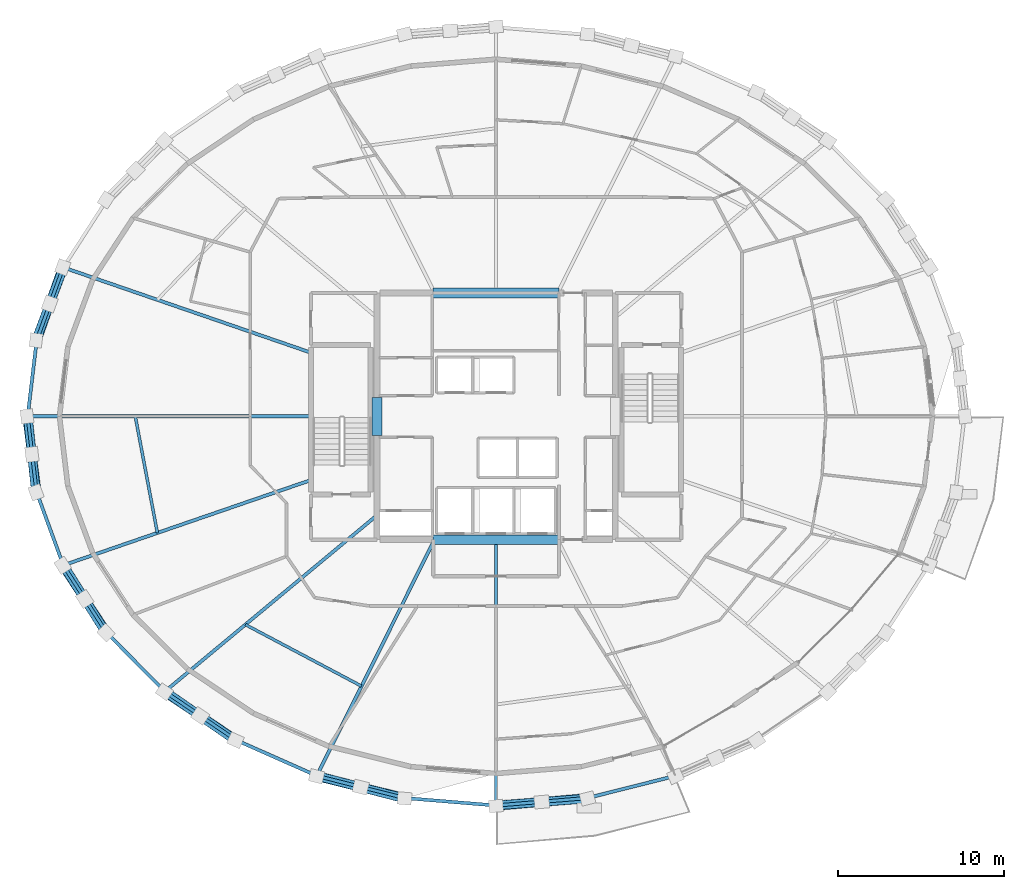
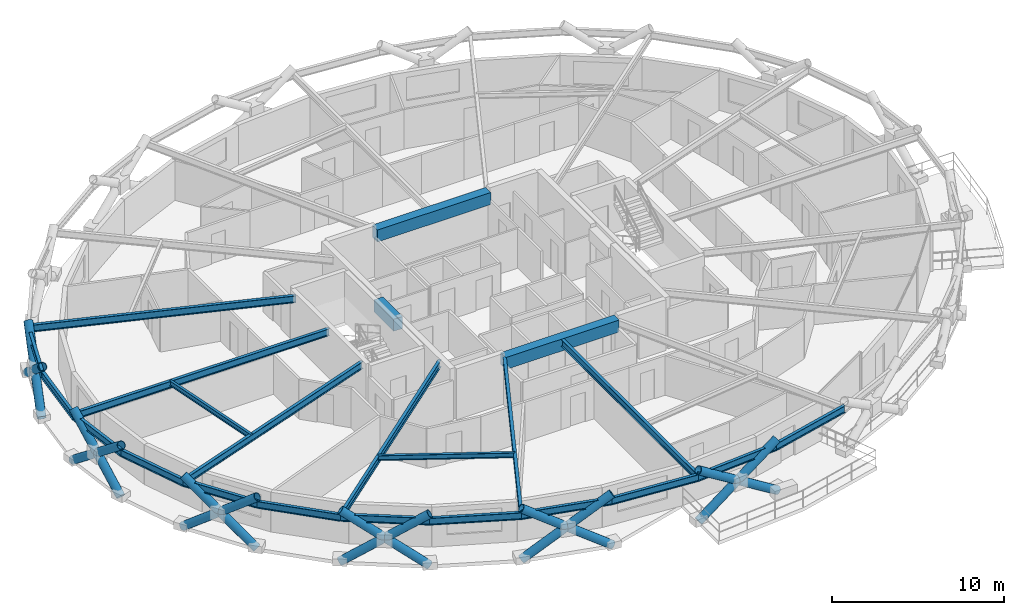
# One storey, part 1 of 14: 23 beams, 18 members.
"""IFC4 building model written with IfcOpenShell, lengths in metres."""

from ifc_helpers import new_model, si_unit, direction, frame, origin, origin_2d, place, context, subcontext, project, spatial, rectangle, hollow_circle, i_section, extrude, material, material_profile, profile_set, type_object, element, save


model = new_model("IFC4")

# Units and contexts
model_context = context("Model", 3, precision=1e-05, world=origin(), true_north=direction((0.0, 1.0)))
body_context = subcontext(model_context, "Body", "Model", "MODEL_VIEW")
ifc_project = project(units=[si_unit("LENGTHUNIT", "METRE"), si_unit("AREAUNIT", "SQUARE_METRE"), si_unit("VOLUMEUNIT", "CUBIC_METRE"), si_unit("PLANEANGLEUNIT", "RADIAN"), si_unit("MASSUNIT", "GRAM", prefix="KILO")], contexts=[model_context])

# Site, building, storey
site_placement = place(None, origin())
site = spatial("IfcSite", under=ifc_project, at=site_placement, CompositionType="ELEMENT")
building_placement = place(site_placement, origin())
building = spatial("IfcBuilding", under=site, at=building_placement, Name="Veldorina Hangang Commons", CompositionType="ELEMENT")
storey_placement = place(building_placement, frame((0.0, 0.0, 149.60009765625)))
storey = spatial("IfcBuildingStorey", under=building, at=storey_placement, Name="L38", CompositionType="ELEMENT", Elevation=149.60009765625)

# Beams
ifc_material_1 = material(Name="Concrete C60/75", Category="concrete")
ifc_material_profile_1 = material_profile(ifc_material_1, rectangle(XDim=0.60009765625, YDim=0.85009765625, at=origin_2d()), Name="RC-CB-600x850")
ifc_profile_set_1 = profile_set([ifc_material_profile_1], Name="Concrete C60/75")
beam_type_1 = type_object("IfcBeamType", Name="BM-CB850", PredefinedType="LINTEL", material=ifc_profile_set_1)
beam_1_placement = place(storey_placement, frame((24.800048828125, 22.85009765625, 2.9248046875), z_axis=(0.0, 1.0, 0.0), x_axis=(-1.0, 0.0, 0.0)))
element("IfcBeam", 1, at=beam_1_placement, inside=storey, type_object=beam_type_1, Name="L38 W core coupling lintel beam", PredefinedType="LINTEL", context=body_context, shape_type="SweptSolid", body=[
    extrude(rectangle(XDim=0.60009765625, YDim=0.85009765625, at=origin_2d()), origin(), (0.0, 0.0, 1.0), 2.2998046875),
])
for number, where, z_axis, x_axis, name in (
    (2, (28.199951171875, 16.550048828125, 2.9248046875), (1.0, 0.0, 0.0), (0.0, 1.0, 0.0), "L38 south core coupling beam"),
    (3, (28.199951171875, 31.449951171875, 2.9248046875), (1.0, 0.0, 0.0), (0.0, 1.0, 0.0), "L38 north core coupling beam"),
):
    element("IfcBeam", number, at=place(storey_placement, frame(where, z_axis=z_axis, x_axis=x_axis)), inside=storey, type_object=beam_type_1, Name=name, PredefinedType="LINTEL", context=body_context, shape_type="SweptSolid", body=[
        extrude(rectangle(XDim=0.60009765625, YDim=0.85009765625, at=origin_2d()), origin(), (0.0, 0.0, 1.0), 7.60009765625),
    ])
ifc_material_2 = material(Name="Steel SM420-TMC", Category="steel")
ifc_material_profile_2 = material_profile(ifc_material_2, i_section(OverallWidth=0.199951171875, OverallDepth=0.5, WebThickness=0.010009765625, FlangeThickness=0.01611328125, FilletRadius=0.01611328125, at=origin_2d()), Name="H-500x200x10x16")
ifc_profile_set_2 = profile_set([ifc_material_profile_2], Name="Steel SM420-TMC")
beam_type_2 = type_object("IfcBeamType", Name="BM-FG500", PredefinedType="BEAM", material=ifc_profile_set_2)
beam_2_placement = place(storey_placement, frame((20.820068359375, 27.847412109375, 3.099853515625), z_axis=(-0.945577538104, 0.325396864511, 0.0), x_axis=(-0.325396864511, -0.945577538104, 0.0)))
element("IfcBeam", 4, at=beam_2_placement, inside=storey, type_object=beam_type_2, Name="L38 radial floor girder 08", PredefinedType="BEAM", context=body_context, shape_type="SweptSolid", body=[
    extrude(i_section(OverallWidth=0.199951171875, OverallDepth=0.5, WebThickness=0.010009765625, FlangeThickness=0.01611328125, FilletRadius=0.01611328125, at=origin_2d()), origin(), (0.0, 0.0, 1.0), 15.814453125),
])
beam_3_placement = place(storey_placement, frame((20.820068359375, 24.0, 3.099853515625), z_axis=(-1.0, 0.0, 0.0), x_axis=(0.0, -1.0, 0.0)))
element("IfcBeam", 5, at=beam_3_placement, inside=storey, type_object=beam_type_2, Name="L38 radial floor girder 09", PredefinedType="BEAM", context=body_context, shape_type="SweptSolid", body=[
    extrude(i_section(OverallWidth=0.199951171875, OverallDepth=0.5, WebThickness=0.010009765625, FlangeThickness=0.01611328125, FilletRadius=0.01611328125, at=origin_2d()), origin(), (0.0, 0.0, 1.0), 17.10693359375),
])
beam_4_placement = place(storey_placement, frame((20.820068359375, 20.152587890625, 3.099853515625), z_axis=(-0.945577538104, -0.325396864511, 0.0), x_axis=(0.325396864511, -0.945577538104, 0.0)))
element("IfcBeam", 6, at=beam_4_placement, inside=storey, type_object=beam_type_2, Name="L38 radial floor girder 10", PredefinedType="BEAM", context=body_context, shape_type="SweptSolid", body=[
    extrude(i_section(OverallWidth=0.199951171875, OverallDepth=0.5, WebThickness=0.010009765625, FlangeThickness=0.01611328125, FilletRadius=0.01611328125, at=origin_2d()), origin(), (0.0, 0.0, 1.0), 15.814453125),
])
beam_5_placement = place(storey_placement, frame((24.800048828125, 18.018310546875, 3.099853515625), z_axis=(-0.769170295329, -0.639043861393, 0.0), x_axis=(0.639043861393, -0.769170295329, 0.0)))
element("IfcBeam", 7, at=beam_5_placement, inside=storey, type_object=beam_type_2, Name="L38 radial floor girder 11", PredefinedType="BEAM", context=body_context, shape_type="SweptSolid", body=[
    extrude(i_section(OverallWidth=0.199951171875, OverallDepth=0.5, WebThickness=0.010009765625, FlangeThickness=0.01611328125, FilletRadius=0.01611328125, at=origin_2d()), origin(), (0.0, 0.0, 1.0), 16.6435546875),
])
beam_6_placement = place(storey_placement, frame((28.28564453125, 16.550048828125, 3.099853515625), z_axis=(-0.446189938387, -0.894938287751, 0.0), x_axis=(0.894938287751, -0.446189938387, 0.0)))
element("IfcBeam", 8, at=beam_6_placement, inside=storey, type_object=beam_type_2, Name="L38 radial floor girder 12", PredefinedType="BEAM", context=body_context, shape_type="SweptSolid", body=[
    extrude(i_section(OverallWidth=0.199951171875, OverallDepth=0.5, WebThickness=0.010009765625, FlangeThickness=0.01611328125, FilletRadius=0.01611328125, at=origin_2d()), origin(), (0.0, 0.0, 1.0), 15.936279296875),
])
beam_7_placement = place(storey_placement, frame((32.0, 16.550048828125, 3.099853515625), z_axis=(0.0, -1.0, 0.0), x_axis=(1.0, 0.0, 0.0)))
element("IfcBeam", 9, at=beam_7_placement, inside=storey, type_object=beam_type_2, Name="L38 radial floor girder 13", PredefinedType="BEAM", context=body_context, shape_type="SweptSolid", body=[
    extrude(i_section(OverallWidth=0.199951171875, OverallDepth=0.5, WebThickness=0.010009765625, FlangeThickness=0.01611328125, FilletRadius=0.01611328125, at=origin_2d()), origin(), (0.0, 0.0, 1.0), 16.05078125),
])
ifc_material_3 = material(Name="Steel SM355-TMC", Category="steel")
ifc_material_profile_3 = material_profile(ifc_material_3, i_section(OverallWidth=0.175048828125, OverallDepth=0.35009765625, WebThickness=0.007080078125, FlangeThickness=0.010986328125, FilletRadius=0.012939453125, at=origin_2d()), Name="H-350x175x7x11")
ifc_profile_set_3 = profile_set([ifc_material_profile_3], Name="Steel SM355-TMC")
beam_type_3 = type_object("IfcBeamType", Name="BM-JST350", PredefinedType="JOIST", material=ifc_profile_set_3)
beam_8_placement = place(storey_placement, frame((10.213623046875, 24.0, 3.1748046875), z_axis=(0.186360310347, -0.98248146788, 0.0), x_axis=(0.98248146788, 0.186360310347, 0.0)))
element("IfcBeam", 10, at=beam_8_placement, inside=storey, type_object=beam_type_3, Name="L38 secondary floor joist 09", PredefinedType="JOIST", context=body_context, shape_type="SweptSolid", body=[
    extrude(i_section(OverallWidth=0.175048828125, OverallDepth=0.35009765625, WebThickness=0.007080078125, FlangeThickness=0.010986328125, FilletRadius=0.012939453125, at=origin_2d()), origin(), (0.0, 0.0, 1.0), 7.163330078125),
])
beam_9_placement = place(storey_placement, frame((16.86279296875, 11.424072265625, 3.1748046875), z_axis=(0.883629268199, -0.46818726636, 0.0), x_axis=(0.46818726636, 0.883629268199, 0.0)))
element("IfcBeam", 11, at=beam_9_placement, inside=storey, type_object=beam_type_3, Name="L38 secondary floor joist 11", PredefinedType="JOIST", context=body_context, shape_type="SweptSolid", body=[
    extrude(i_section(OverallWidth=0.175048828125, OverallDepth=0.35009765625, WebThickness=0.007080078125, FlangeThickness=0.010986328125, FilletRadius=0.012939453125, at=origin_2d()), origin(), (0.0, 0.0, 1.0), 7.938232421875),
])
ifc_material_profile_4 = material_profile(ifc_material_2, i_section(OverallWidth=0.199951171875, OverallDepth=0.5, WebThickness=0.010009765625, FlangeThickness=0.01611328125, FilletRadius=0.01611328125, at=origin_2d()), Name="H-500x200x10x16")
ifc_profile_set_4 = profile_set([ifc_material_profile_4], Name="Steel SM420-TMC")
beam_type_4 = type_object("IfcBeamType", Name="BM-RB500", PredefinedType="BEAM", material=ifc_profile_set_4)
beam_10_placement = place(storey_placement, frame((5.8662109375, 32.993408203125, 3.099853515625), z_axis=(-0.34295818842, -0.939350669876, 0.0), x_axis=(0.939350669876, -0.34295818842, 0.0)))
element("IfcBeam", 12, at=beam_10_placement, inside=storey, type_object=beam_type_4, Name="L38 perimeter hoop ring beam 14", PredefinedType="BEAM", context=body_context, shape_type="SweptSolid", body=[
    extrude(i_section(OverallWidth=0.199951171875, OverallDepth=0.5, WebThickness=0.010009765625, FlangeThickness=0.01611328125, FilletRadius=0.01611328125, at=origin_2d()), origin(), (0.0, 0.0, 1.0), 4.693359375),
])
for number, where, z_axis, x_axis, name in (
    (13, (4.256591796875, 28.584716796875, 3.099853515625), (-0.117712561941, -0.993047709207, 0.0), (0.993047709207, -0.117712561941, 0.0), "L38 perimeter hoop ring beam 15"),
    (14, (3.713134765625, 24.0, 3.099853515625), (0.117712561941, -0.993047709207, 0.0), (0.993047709207, 0.117712561941, 0.0), "L38 perimeter hoop ring beam 16"),
):
    element("IfcBeam", number, at=place(storey_placement, frame(where, z_axis=z_axis, x_axis=x_axis)), inside=storey, type_object=beam_type_4, Name=name, PredefinedType="BEAM", context=body_context, shape_type="SweptSolid", body=[
        extrude(i_section(OverallWidth=0.199951171875, OverallDepth=0.5, WebThickness=0.010009765625, FlangeThickness=0.01611328125, FilletRadius=0.01611328125, at=origin_2d()), origin(), (0.0, 0.0, 1.0), 4.61669921875),
    ])
beam_11_placement = place(storey_placement, frame((4.256591796875, 19.415283203125, 3.099853515625), z_axis=(0.34295818842, -0.939350669876, 0.0), x_axis=(0.939350669876, 0.34295818842, 0.0)))
element("IfcBeam", 15, at=beam_11_placement, inside=storey, type_object=beam_type_4, Name="L38 perimeter hoop ring beam 17", PredefinedType="BEAM", context=body_context, shape_type="SweptSolid", body=[
    extrude(i_section(OverallWidth=0.199951171875, OverallDepth=0.5, WebThickness=0.010009765625, FlangeThickness=0.01611328125, FilletRadius=0.01611328125, at=origin_2d()), origin(), (0.0, 0.0, 1.0), 4.693359375),
])
beam_12_placement = place(storey_placement, frame((5.8662109375, 15.006591796875, 3.099853515625), z_axis=(0.541064041237, -0.840981392945, 0.0), x_axis=(0.840981392945, 0.541064041237, 0.0)))
element("IfcBeam", 16, at=beam_12_placement, inside=storey, type_object=beam_type_4, Name="L38 perimeter hoop ring beam 18", PredefinedType="BEAM", context=body_context, shape_type="SweptSolid", body=[
    extrude(i_section(OverallWidth=0.199951171875, OverallDepth=0.5, WebThickness=0.010009765625, FlangeThickness=0.01611328125, FilletRadius=0.01611328125, at=origin_2d()), origin(), (0.0, 0.0, 1.0), 4.831298828125),
])
beam_13_placement = place(storey_placement, frame((8.480224609375, 10.943603515625, 3.099853515625), z_axis=(0.702777452467, -0.711409763993, 0.0), x_axis=(0.711409763993, 0.702777452467, 0.0)))
element("IfcBeam", 17, at=beam_13_placement, inside=storey, type_object=beam_type_4, Name="L38 perimeter hoop ring beam 19", PredefinedType="BEAM", context=body_context, shape_type="SweptSolid", body=[
    extrude(i_section(OverallWidth=0.199951171875, OverallDepth=0.5, WebThickness=0.010009765625, FlangeThickness=0.01611328125, FilletRadius=0.01611328125, at=origin_2d()), origin(), (0.0, 0.0, 1.0), 5.005859375),
])
beam_14_placement = place(storey_placement, frame((11.998291015625, 7.38232421875, 3.099853515625), z_axis=(0.826220373452, -0.563347046227, 0.0), x_axis=(0.563347046227, 0.826220373452, 0.0)))
element("IfcBeam", 18, at=beam_14_placement, inside=storey, type_object=beam_type_4, Name="L38 perimeter hoop ring beam 20", PredefinedType="BEAM", context=body_context, shape_type="SweptSolid", body=[
    extrude(i_section(OverallWidth=0.199951171875, OverallDepth=0.5, WebThickness=0.010009765625, FlangeThickness=0.01611328125, FilletRadius=0.01611328125, at=origin_2d()), origin(), (0.0, 0.0, 1.0), 5.18798828125),
])
beam_15_placement = place(storey_placement, frame((16.28466796875, 4.459716796875, 3.099853515625), z_axis=(0.91394132535, -0.405846342619, 0.0), x_axis=(0.405846342619, 0.91394132535, 0.0)))
element("IfcBeam", 19, at=beam_15_placement, inside=storey, type_object=beam_type_4, Name="L38 perimeter hoop ring beam 21", PredefinedType="BEAM", context=body_context, shape_type="SweptSolid", body=[
    extrude(i_section(OverallWidth=0.199951171875, OverallDepth=0.5, WebThickness=0.010009765625, FlangeThickness=0.01611328125, FilletRadius=0.01611328125, at=origin_2d()), origin(), (0.0, 0.0, 1.0), 5.350830078125),
])
beam_16_placement = place(storey_placement, frame((21.175048828125, 2.2880859375, 3.099853515625), z_axis=(0.969676214769, -0.244393204716, 0.0), x_axis=(0.244393204716, 0.969676214769, 0.0)))
element("IfcBeam", 20, at=beam_16_placement, inside=storey, type_object=beam_type_4, Name="L38 perimeter hoop ring beam 22", PredefinedType="BEAM", context=body_context, shape_type="SweptSolid", body=[
    extrude(i_section(OverallWidth=0.199951171875, OverallDepth=0.5, WebThickness=0.010009765625, FlangeThickness=0.01611328125, FilletRadius=0.01611328125, at=origin_2d()), origin(), (0.0, 0.0, 1.0), 5.472412109375),
])
for number, where, z_axis, x_axis, name in (
    (21, (26.4814453125, 0.95068359375, 3.099853515625), (0.996671102481, -0.081527378716, 0.0), (0.081527378716, 0.996671102481, 0.0), "L38 perimeter hoop ring beam 23"),
    (22, (32.0, 0.499267578125, 3.099853515625), (0.996671102481, 0.081527378716, 0.0), (-0.081527378716, 0.996671102481, 0.0), "L38 perimeter hoop ring beam 24"),
):
    element("IfcBeam", number, at=place(storey_placement, frame(where, z_axis=z_axis, x_axis=x_axis)), inside=storey, type_object=beam_type_4, Name=name, PredefinedType="BEAM", context=body_context, shape_type="SweptSolid", body=[
        extrude(i_section(OverallWidth=0.199951171875, OverallDepth=0.5, WebThickness=0.010009765625, FlangeThickness=0.01611328125, FilletRadius=0.01611328125, at=origin_2d()), origin(), (0.0, 0.0, 1.0), 5.536865234375),
    ])
beam_17_placement = place(storey_placement, frame((37.5185546875, 0.95068359375, 3.099853515625), z_axis=(0.969676214769, 0.244393204716, 0.0), x_axis=(-0.244393204716, 0.969676214769, 0.0)))
element("IfcBeam", 23, at=beam_17_placement, inside=storey, type_object=beam_type_4, Name="L38 perimeter hoop ring beam 25", PredefinedType="BEAM", context=body_context, shape_type="SweptSolid", body=[
    extrude(i_section(OverallWidth=0.199951171875, OverallDepth=0.5, WebThickness=0.010009765625, FlangeThickness=0.01611328125, FilletRadius=0.01611328125, at=origin_2d()), origin(), (0.0, 0.0, 1.0), 5.472412109375),
])

# Members
ifc_material_profile_5 = material_profile(ifc_material_2, hollow_circle(Radius=0.27490234375, WallThickness=0.028076171875, at=origin_2d()), Name="CHS-550x28")
ifc_profile_set_5 = profile_set([ifc_material_profile_5], Name="Steel SM420-TMC")
member_type = type_object("IfcMemberType", Name="DG-CHS550", PredefinedType="BRACE", material=ifc_profile_set_5)
member_1_placement = place(storey_placement, frame((5.830322265625, 33.00390625, 0.0), z_axis=(-0.26515879031, -0.747614816972, 0.608903031167), x_axis=(0.942476955609, -0.334271129693, 0.0)))
element("IfcMember", 24, at=member_1_placement, inside=storey, type_object=member_type, Name="L38 continuous perimeter diagrid brace 14", PredefinedType="BRACE", context=body_context, shape_type="SweptSolid", body=[
    extrude(hollow_circle(Radius=0.27490234375, WallThickness=0.028076171875, at=origin_2d()), origin(), (0.0, 0.0, 1.0), 5.912109375),
])
member_2_placement = place(storey_placement, frame((4.218505859375, 28.590087890625, 0.0), z_axis=(0.279343569548, 0.743268140803, 0.60788127214), x_axis=(-0.936073039198, 0.35180572094, 0.0)))
element("IfcMember", 25, at=member_2_placement, inside=storey, type_object=member_type, Name="L38 split perimeter diagrid lower brace 15", PredefinedType="BRACE", context=body_context, shape_type="SweptSolid", body=[
    extrude(hollow_circle(Radius=0.27490234375, WallThickness=0.028076171875, at=origin_2d()), origin(), (0.0, 0.0, 1.0), 2.962890625),
])
member_3_placement = place(storey_placement, frame((5.046142578125, 30.792236328125, 1.801025390625), z_axis=(0.27912560826, 0.743317352886, 0.607921218344), x_axis=(-0.936171074881, 0.351544760387, 0.0)))
element("IfcMember", 26, at=member_3_placement, inside=storey, type_object=member_type, Name="L38 split perimeter diagrid upper brace 15", PredefinedType="BRACE", context=body_context, shape_type="SweptSolid", body=[
    extrude(hollow_circle(Radius=0.27490234375, WallThickness=0.028076171875, at=origin_2d()), origin(), (0.0, 0.0, 1.0), 2.958984375),
])
member_4_placement = place(storey_placement, frame((3.67431640625, 24.0, 0.0), z_axis=(0.10043747987, -0.782495486324, 0.614502340533), x_axis=(0.99186286061, 0.1273109019, 0.0)))
element("IfcMember", 27, at=member_4_placement, inside=storey, type_object=member_type, Name="L38 continuous perimeter diagrid brace 16", PredefinedType="BRACE", context=body_context, shape_type="SweptSolid", body=[
    extrude(hollow_circle(Radius=0.27490234375, WallThickness=0.028076171875, at=origin_2d()), origin(), (0.0, 0.0, 1.0), 5.858154296875),
])
member_5_placement = place(storey_placement, frame((4.218505859375, 19.409912109375, 0.0), z_axis=(-0.085262344098, 0.784030176863, 0.614839015065), x_axis=(-0.994138785245, -0.108111403987, 0.0)))
element("IfcMember", 28, at=member_5_placement, inside=storey, type_object=member_type, Name="L38 split perimeter diagrid lower brace 17", PredefinedType="BRACE", context=body_context, shape_type="SweptSolid", body=[
    extrude(hollow_circle(Radius=0.27490234375, WallThickness=0.028076171875, at=origin_2d()), origin(), (0.0, 0.0, 1.0), 2.92919921875),
])
member_6_placement = place(storey_placement, frame((3.96875, 21.70654296875, 1.801025390625), z_axis=(-0.085208545501, 0.783985383383, 0.614903587903), x_axis=(-0.99414545161, -0.108050085809, 0.0)))
element("IfcMember", 29, at=member_6_placement, inside=storey, type_object=member_type, Name="L38 split perimeter diagrid upper brace 17", PredefinedType="BRACE", context=body_context, shape_type="SweptSolid", body=[
    extrude(hollow_circle(Radius=0.27490234375, WallThickness=0.028076171875, at=origin_2d()), origin(), (0.0, 0.0, 1.0), 2.92529296875),
])
member_7_placement = place(storey_placement, frame((5.830322265625, 14.99609375, 0.0), z_axis=(0.440032838806, -0.671175502294, 0.596568978319), x_axis=(0.83629135652, 0.548285297095, 0.0)))
element("IfcMember", 30, at=member_7_placement, inside=storey, type_object=member_type, Name="L38 continuous perimeter diagrid brace 18", PredefinedType="BRACE", context=body_context, shape_type="SweptSolid", body=[
    extrude(hollow_circle(Radius=0.27490234375, WallThickness=0.028076171875, at=origin_2d()), origin(), (0.0, 0.0, 1.0), 6.0341796875),
])
member_8_placement = place(storey_placement, frame((8.447998046875, 10.928466796875, 0.0), z_axis=(-0.427955514779, 0.677677283913, 0.598002990158), x_axis=(-0.845517737838, -0.533947333547, 0.0)))
element("IfcMember", 31, at=member_8_placement, inside=storey, type_object=member_type, Name="L38 split perimeter diagrid lower brace 19", PredefinedType="BRACE", context=body_context, shape_type="SweptSolid", body=[
    extrude(hollow_circle(Radius=0.27490234375, WallThickness=0.028076171875, at=origin_2d()), origin(), (0.0, 0.0, 1.0), 3.01220703125),
])
member_9_placement = place(storey_placement, frame((7.158935546875, 12.9697265625, 1.80126953125), z_axis=(-0.427846222587, 0.677768157579, 0.597978205615), x_axis=(-0.84561160894, -0.533798657572, 0.0)))
element("IfcMember", 32, at=member_9_placement, inside=storey, type_object=member_type, Name="L38 split perimeter diagrid upper brace 19", PredefinedType="BRACE", context=body_context, shape_type="SweptSolid", body=[
    extrude(hollow_circle(Radius=0.27490234375, WallThickness=0.028076171875, at=origin_2d()), origin(), (0.0, 0.0, 1.0), 3.0078125),
])
member_10_placement = place(storey_placement, frame((11.970703125, 7.36328125, 0.0), z_axis=(0.682568429135, -0.458467982428, 0.569128674938), x_axis=(0.557578393246, 0.830124289119, 0.0)))
element("IfcMember", 33, at=member_10_placement, inside=storey, type_object=member_type, Name="L38 continuous perimeter diagrid brace 20", PredefinedType="BRACE", context=body_context, shape_type="SweptSolid", body=[
    extrude(hollow_circle(Radius=0.27490234375, WallThickness=0.028076171875, at=origin_2d()), origin(), (0.0, 0.0, 1.0), 6.3251953125),
])
member_11_placement = place(storey_placement, frame((16.262939453125, 4.437255859375, 0.0), z_axis=(-0.675345883336, 0.467219936009, 0.570625507015), x_axis=(-0.568940593857, -0.822378623665, 0.0)))
element("IfcMember", 34, at=member_11_placement, inside=storey, type_object=member_type, Name="L38 split perimeter diagrid lower brace 21", PredefinedType="BRACE", context=body_context, shape_type="SweptSolid", body=[
    extrude(hollow_circle(Radius=0.27490234375, WallThickness=0.028076171875, at=origin_2d()), origin(), (0.0, 0.0, 1.0), 3.15673828125),
])
member_12_placement = place(storey_placement, frame((14.131103515625, 5.912109375, 1.80126953125), z_axis=(-0.675231045843, 0.46742594192, 0.570592694967), x_axis=(-0.569175648602, -0.822215957665, 0.0)))
element("IfcMember", 35, at=member_12_placement, inside=storey, type_object=member_type, Name="L38 split perimeter diagrid upper brace 21", PredefinedType="BRACE", context=body_context, shape_type="SweptSolid", body=[
    extrude(hollow_circle(Radius=0.27490234375, WallThickness=0.028076171875, at=origin_2d()), origin(), (0.0, 0.0, 1.0), 3.152099609375),
])
member_13_placement = place(storey_placement, frame((21.16015625, 2.262939453125, 0.0), z_axis=(0.811688751292, -0.199450329832, 0.548981727343), x_axis=(0.238624231571, 0.97111197918, 0.0)))
element("IfcMember", 36, at=member_13_placement, inside=storey, type_object=member_type, Name="L38 continuous perimeter diagrid brace 22", PredefinedType="BRACE", context=body_context, shape_type="SweptSolid", body=[
    extrude(hollow_circle(Radius=0.27490234375, WallThickness=0.028076171875, at=origin_2d()), origin(), (0.0, 0.0, 1.0), 6.557373046875),
])
member_14_placement = place(storey_placement, frame((26.473876953125, 0.924072265625, 0.0), z_axis=(-0.808834033051, 0.208839516824, 0.549703159161), x_axis=(-0.249999402392, -0.968245990854, 0.0)))
element("IfcMember", 37, at=member_14_placement, inside=storey, type_object=member_type, Name="L38 split perimeter diagrid lower brace 23", PredefinedType="BRACE", context=body_context, shape_type="SweptSolid", body=[
    extrude(hollow_circle(Radius=0.27490234375, WallThickness=0.028076171875, at=origin_2d()), origin(), (0.0, 0.0, 1.0), 3.27685546875),
])
member_15_placement = place(storey_placement, frame((23.823486328125, 1.6083984375, 1.80126953125), z_axis=(-0.808759727675, 0.209017899725, 0.549744686638), x_axis=(-0.250221128378, -0.968188714515, 0.0)))
element("IfcMember", 38, at=member_15_placement, inside=storey, type_object=member_type, Name="L38 split perimeter diagrid upper brace 23", PredefinedType="BRACE", context=body_context, shape_type="SweptSolid", body=[
    extrude(hollow_circle(Radius=0.27490234375, WallThickness=0.028076171875, at=origin_2d()), origin(), (0.0, 0.0, 1.0), 3.271728515625),
])
member_16_placement = place(storey_placement, frame((32.0, 0.471923828125, 0.0), z_axis=(0.835256678797, 0.073143633229, 0.544973659403), x_axis=(-0.087236397032, 0.996187638466, 0.0)))
element("IfcMember", 39, at=member_16_placement, inside=storey, type_object=member_type, Name="L38 continuous perimeter diagrid brace 24", PredefinedType="BRACE", context=body_context, shape_type="SweptSolid", body=[
    extrude(hollow_circle(Radius=0.27490234375, WallThickness=0.028076171875, at=origin_2d()), origin(), (0.0, 0.0, 1.0), 6.60546875),
])
member_17_placement = place(storey_placement, frame((37.526123046875, 0.924072265625, 0.0), z_axis=(-0.836222574531, -0.063637667453, 0.54468527897), x_axis=(0.075881936063, -0.997116809496, 0.0)))
element("IfcMember", 40, at=member_17_placement, inside=storey, type_object=member_type, Name="L38 split perimeter diagrid lower brace 25", PredefinedType="BRACE", context=body_context, shape_type="SweptSolid", body=[
    extrude(hollow_circle(Radius=0.27490234375, WallThickness=0.028076171875, at=origin_2d()), origin(), (0.0, 0.0, 1.0), 3.306884765625),
])
member_18_placement = place(storey_placement, frame((34.7607421875, 0.713623046875, 1.80126953125), z_axis=(-0.836178409206, -0.063593334977, 0.544758254388), x_axis=(0.07583335995, -0.997120505014, 0.0)))
element("IfcMember", 41, at=member_18_placement, inside=storey, type_object=member_type, Name="L38 split perimeter diagrid upper brace 25", PredefinedType="BRACE", context=body_context, shape_type="SweptSolid", body=[
    extrude(hollow_circle(Radius=0.27490234375, WallThickness=0.028076171875, at=origin_2d()), origin(), (0.0, 0.0, 1.0), 3.301513671875),
])

save(model, "model.ifc")
